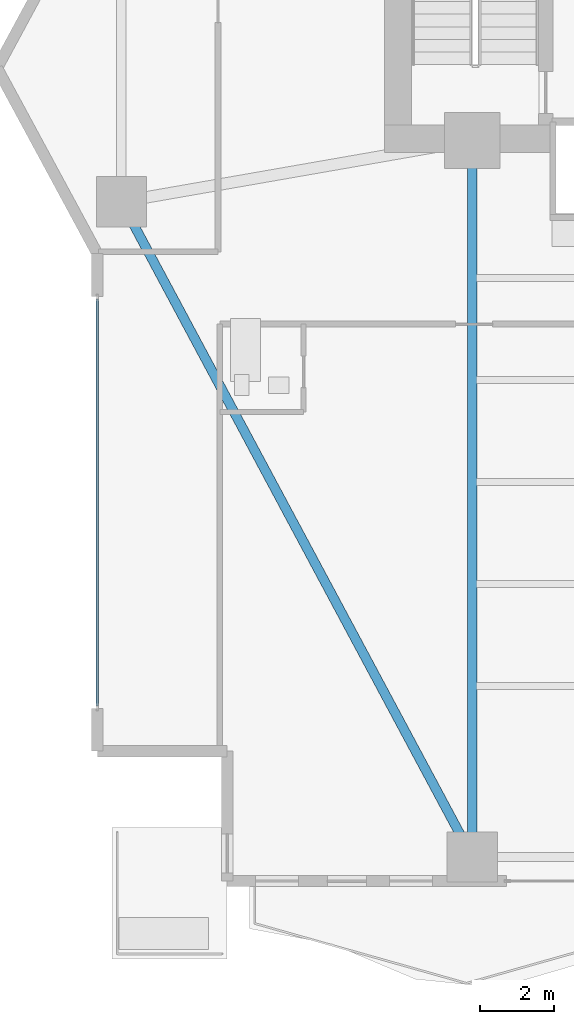
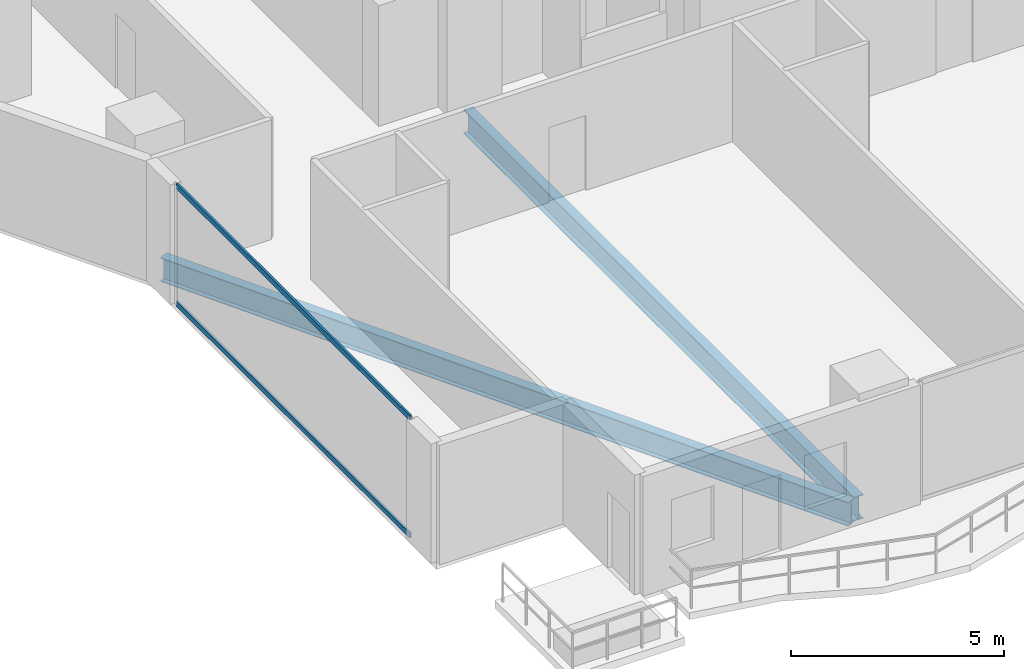
# One storey, part 3 of 27: 2 beams, 2 members, 1 element without a shape of its own.
"""IFC4 building model written with IfcOpenShell, lengths in metres."""

from ifc_helpers import new_model, si_unit, direction, frame, origin, origin_2d, place, context, subcontext, project, spatial, hollow_rectangle, i_section, extrude, material, layer, layer_set, material_profile, profile_set, type_object, element, aggregate, save


model = new_model("IFC4")

# Units and contexts
model_context = context("Model", 3, precision=1e-05, world=origin(), true_north=direction((0.0, 1.0)))
body_context = subcontext(model_context, "Body", "Model", "MODEL_VIEW")
ifc_project = project(units=[si_unit("LENGTHUNIT", "METRE"), si_unit("AREAUNIT", "SQUARE_METRE"), si_unit("VOLUMEUNIT", "CUBIC_METRE"), si_unit("PLANEANGLEUNIT", "RADIAN"), si_unit("MASSUNIT", "GRAM", prefix="KILO")], contexts=[model_context])

# Site, building, storey
site_placement = place(None, origin())
site = spatial("IfcSite", under=ifc_project, at=site_placement, CompositionType="ELEMENT")
building_placement = place(site_placement, origin())
building = spatial("IfcBuilding", under=site, at=building_placement, Name="Zuhayl Quay Hotel", CompositionType="ELEMENT")
storey_placement = place(building_placement, frame((0.0, 0.0, 124.85009765625)))
storey = spatial("IfcBuildingStorey", under=building, at=storey_placement, Name="L31", CompositionType="ELEMENT", Elevation=124.85009765625)

# Beams
ifc_material_1 = material(Name="Steel ASTM A992 Grade 50", Category="steel")
ifc_material_profile_1 = material_profile(ifc_material_1, i_section(OverallWidth=0.25390625, OverallDepth=0.68310546875, WebThickness=0.012451171875, FlangeThickness=0.018798828125, at=origin_2d()), Name="W27X94")
ifc_profile_set_1 = profile_set([ifc_material_profile_1], Name="Steel ASTM A992 Grade 50")
beam_type = type_object("IfcBeamType", Name="BM_B2_W27X94", PredefinedType="BEAM", material=ifc_profile_set_1)
beam_1_placement = place(storey_placement, frame((-23.013916015625, 2.459228515625, -0.5615234375), z_axis=(0.472017301959, -0.88158928456, 0.0), x_axis=(0.88158928456, 0.472017301959, 0.0)))
element("IfcBeam", 1, at=beam_1_placement, inside=storey, type_object=beam_type, Name="L31 Floor Beam RG_L31_12", PredefinedType="BEAM", context=body_context, shape_type="SweptSolid", body=[
    extrude(i_section(OverallWidth=0.25390625, OverallDepth=0.68310546875, WebThickness=0.012451171875, FlangeThickness=0.018798828125, at=origin_2d()), origin(), (0.0, 0.0, 1.0), 19.0205078125),
])
beam_2_placement = place(storey_placement, frame((-13.800048828125, -14.25, -0.5615234375), z_axis=(0.0, 1.0, 0.0), x_axis=(-1.0, 0.0, 0.0)))
element("IfcBeam", 2, at=beam_2_placement, inside=storey, type_object=beam_type, Name="L31 Floor Beam FG_S_L31_1", PredefinedType="BEAM", context=body_context, shape_type="SweptSolid", body=[
    extrude(i_section(OverallWidth=0.25390625, OverallDepth=0.68310546875, WebThickness=0.012451171875, FlangeThickness=0.018798828125, at=origin_2d()), origin(), (0.0, 0.0, 1.0), 18.35009765625),
])

# Curtain wall, members
ifc_material_2 = material(Name="Anodised Aluminium 6063-T6", Category="aluminium")
ifc_layer = layer(ifc_material_2, 0.179931640625, Name="Anodised Aluminium 6063-T6", Category="aluminium")
ifc_layer_set = layer_set([ifc_layer], Name="Anodised Aluminium 6063-T6")
curtain_wall_type = type_object("IfcCurtainWallType", Name="CW_SYS_Z2", PredefinedType="USERDEFINED", material=ifc_layer_set)
curtain_wall_placement = place(storey_placement, origin())
curtain_wall = element("IfcCurtainWall", 3, at=curtain_wall_placement, inside=storey, type_object=curtain_wall_type, Name="L31 Curtain Wall ENV_L31_E02_CW1", ObjectType="UNITISED CURTAIN WALL", PredefinedType="USERDEFINED")
ifc_material_3 = material(Name="Black-anodised aluminium 6063-T6", Category="aluminium")
ifc_material_profile_2 = material_profile(ifc_material_3, hollow_rectangle(XDim=0.06005859375, YDim=0.14990234375, WallThickness=0.00341796875, at=origin_2d()), Name="ALU150X60")
ifc_profile_set_2 = profile_set([ifc_material_profile_2], Name="Black-anodised aluminium 6063-T6")
member_type = type_object("IfcMemberType", Name="MB_CW_TRN_150", PredefinedType="USERDEFINED", material=ifc_profile_set_2)
member_1_placement = place(storey_placement, frame((-23.89990234375, -10.68505859375, 0.02978515625), z_axis=(0.0, 1.0, 0.0), x_axis=(-1.0, 0.0, 0.0)))
member_1 = element("IfcMember", 4, at=member_1_placement, type_object=member_type, Name="CW-Z2 transom 1.1", ObjectType="TRANSOM", PredefinedType="USERDEFINED", context=body_context, shape_type="SweptSolid", body=[
    extrude(hollow_rectangle(XDim=0.06005859375, YDim=0.14990234375, WallThickness=0.00341796875, at=origin_2d()), origin(), (0.0, 0.0, 1.0), 10.969970703125),
])
member_2_placement = place(storey_placement, frame((-23.89990234375, -10.68505859375, 3.39990234375), z_axis=(0.0, 1.0, 0.0), x_axis=(-1.0, 0.0, 0.0)))
member_2 = element("IfcMember", 5, at=member_2_placement, type_object=member_type, Name="CW-Z2 transom 1.2", ObjectType="TRANSOM", PredefinedType="USERDEFINED", context=body_context, shape_type="SweptSolid", body=[
    extrude(hollow_rectangle(XDim=0.06005859375, YDim=0.14990234375, WallThickness=0.00341796875, at=origin_2d()), origin(), (0.0, 0.0, 1.0), 10.969970703125),
])
aggregate(curtain_wall, [member_1, member_2])

save(model, "model.ifc")
